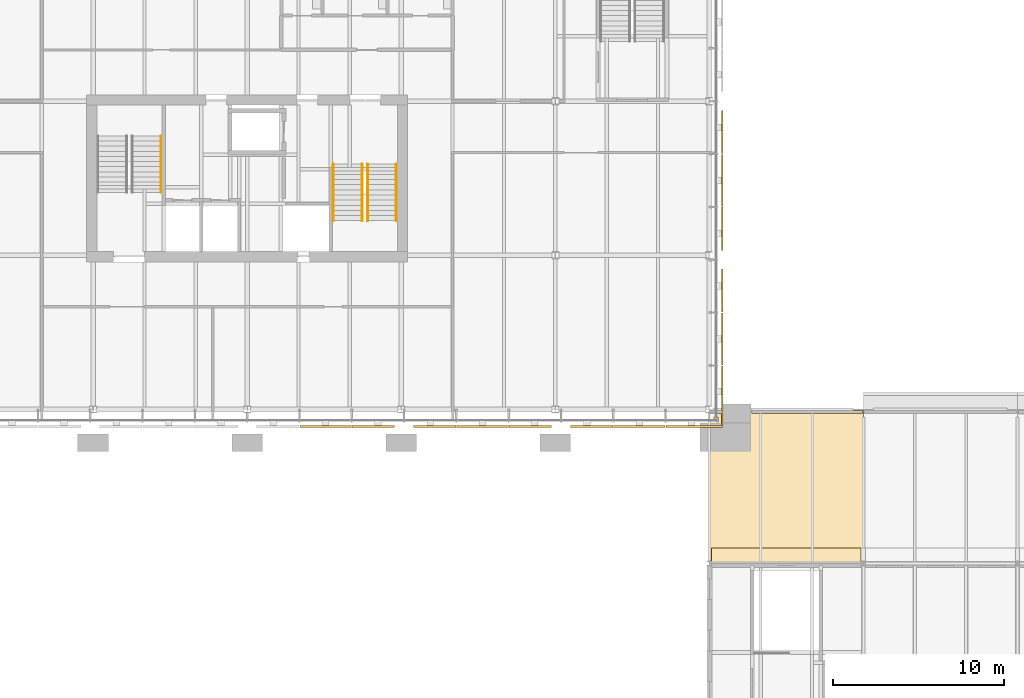
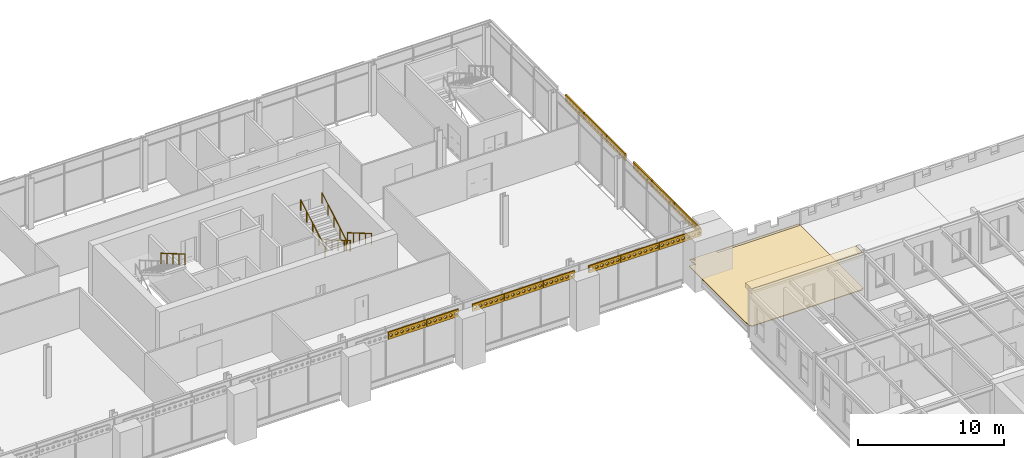
# One storey, part 103 of 123: 14 shading devices, 5 railings, 2 coverings.
"""IFC4 building model written with IfcOpenShell, lengths in metres."""

from ifc_helpers import new_model, si_unit, direction, frame, origin, origin_2d, place, context, subcontext, project, spatial, polyline, rectangle, circle, outline, extrude, material, layer, layer_set, type_object, element, save


model = new_model("IFC4")

# Units and contexts
model_context = context("Model", 3, precision=1e-05, world=origin(), true_north=direction((0.0, 1.0)))
body_context = subcontext(model_context, "Body", "Model", "MODEL_VIEW")
ifc_project = project(units=[si_unit("LENGTHUNIT", "METRE"), si_unit("AREAUNIT", "SQUARE_METRE"), si_unit("VOLUMEUNIT", "CUBIC_METRE"), si_unit("PLANEANGLEUNIT", "RADIAN"), si_unit("MASSUNIT", "GRAM", prefix="KILO")], contexts=[model_context])

# Site, building, storey
site_placement = place(None, origin())
site = spatial("IfcSite", under=ifc_project, at=site_placement, CompositionType="ELEMENT")
building_placement = place(site_placement, origin())
building = spatial("IfcBuilding", under=site, at=building_placement, Name="Baradari Gate Terminus", CompositionType="ELEMENT")
storey_placement = place(building_placement, frame((0.0, 0.0, 7.5)))
storey = spatial("IfcBuildingStorey", under=building, at=storey_placement, Name="L01", CompositionType="ELEMENT", Elevation=7.5)

# Railings
ifc_material_1 = material(Name="Stainless steel 1.4301", Category="steel")
railing_type = type_object("IfcRailingType", Name="Handrail HR-1 900", PredefinedType="HANDRAIL", material=ifc_material_1)
for number, where, name in (
    (1, (30.965087890625, 132.97509765625, 2.27490234375), "Handrail ST-T1 L01 flight 2"),
    (2, (44.715087890625, 131.324951171875, 0.175048828125), "Handrail ST-T2 L01 flight 1"),
    (3, (43.034912109375, 131.324951171875, 0.175048828125), "Handrail ST-T2 L01 flight 1"),
):
    element("IfcRailing", number, at=place(storey_placement, frame(where)), inside=storey, type_object=railing_type, Name=name, PredefinedType="HANDRAIL", context=body_context, shape_type="SweptSolid", body=[
        extrude(circle(Radius=0.02392578125, at=origin_2d()), frame((0.0, 0.0, 0.8759765625), z_axis=(0.0, -0.863776583165, 0.503874998761), x_axis=(1.0, 0.0, 0.0)), (0.0, 0.0, 1.0), 3.820556640625),
        extrude(circle(Radius=0.02099609375, at=origin_2d()), origin(), (0.0, 0.0, 1.0), 0.851806640625),
        extrude(circle(Radius=0.02099609375, at=origin_2d()), frame((0.0, -0.824951171875, 0.481201171875)), (0.0, 0.0, 1.0), 0.851806640625),
        extrude(circle(Radius=0.02099609375, at=origin_2d()), frame((0.0, -1.64990234375, 0.96240234375)), (0.0, 0.0, 1.0), 0.851806640625),
        extrude(circle(Radius=0.02099609375, at=origin_2d()), frame((0.0, -2.47509765625, 1.44384765625)), (0.0, 0.0, 1.0), 0.851806640625),
        extrude(circle(Radius=0.02099609375, at=origin_2d()), frame((0.0, -3.300048828125, 1.925048828125)), (0.0, 0.0, 1.0), 0.851806640625),
    ])
for number, where, name in (
    (4, (42.715087890625, 128.02490234375, 2.27490234375), "Handrail ST-T2 L01 flight 2"),
    (5, (41.034912109375, 128.02490234375, 2.27490234375), "Handrail ST-T2 L01 flight 2"),
):
    element("IfcRailing", number, at=place(storey_placement, frame(where)), inside=storey, type_object=railing_type, Name=name, PredefinedType="HANDRAIL", context=body_context, shape_type="SweptSolid", body=[
        extrude(circle(Radius=0.02392578125, at=origin_2d()), frame((0.0, 0.0, 0.8759765625), z_axis=(0.0, 0.863776583165, 0.503874998761), x_axis=(-1.0, 0.0, 0.0)), (0.0, 0.0, 1.0), 3.820556640625),
        extrude(circle(Radius=0.02099609375, at=origin_2d()), origin(), (0.0, 0.0, 1.0), 0.851806640625),
        extrude(circle(Radius=0.02099609375, at=origin_2d()), frame((0.0, 0.824951171875, 0.481201171875)), (0.0, 0.0, 1.0), 0.851806640625),
        extrude(circle(Radius=0.02099609375, at=origin_2d()), frame((0.0, 1.64990234375, 0.96240234375)), (0.0, 0.0, 1.0), 0.851806640625),
        extrude(circle(Radius=0.02099609375, at=origin_2d()), frame((0.0, 2.47509765625, 1.44384765625)), (0.0, 0.0, 1.0), 0.851806640625),
        extrude(circle(Radius=0.02099609375, at=origin_2d()), frame((0.0, 3.300048828125, 1.925048828125)), (0.0, 0.0, 1.0), 0.851806640625),
    ])

# Shading devices
ifc_material_2 = material(Name="Concrete C50/60 precast", Category="concrete")
ifc_layer_1 = layer(ifc_material_2, 0.10009765625)
ifc_layer_set_1 = layer_set([ifc_layer_1], Name="Concrete C50/60 precast")
shading_device_type = type_object("IfcShadingDeviceType", Name="Jali screen panel JS-1 100", PredefinedType="SHUTTER", material=ifc_layer_set_1)
shading_device_1_placement = place(storey_placement, frame((39.074951171875, 116.0048828125, 3.4326171875), z_axis=(0.0, 0.0, 1.0), x_axis=(1.0, 0.0, 0.0)))
element("IfcShadingDevice", 6, at=shading_device_1_placement, inside=storey, type_object=shading_device_type, Name="Jali screen panel JS-1 L01/TS bay 11", PredefinedType="SHUTTER", context=body_context, shape_type="SweptSolid", body=[
    extrude(outline(polyline([(0.0, 0.0), (3.01513671875, 0.0), (3.01513671875, 0.599853515625), (0.0, 0.599853515625), (0.0, 0.0)]), holes=[polyline([(0.345458984375, 0.2998046875), (0.2802734375, 0.187255859375), (0.150390625, 0.187255859375), (0.08544921875, 0.2998046875), (0.150390625, 0.412353515625), (0.2802734375, 0.412353515625), (0.345458984375, 0.2998046875)]), polyline([(0.776123046875, 0.2998046875), (0.711181640625, 0.187255859375), (0.5810546875, 0.187255859375), (0.51611328125, 0.2998046875), (0.5810546875, 0.412353515625), (0.711181640625, 0.412353515625), (0.776123046875, 0.2998046875)]), polyline([(1.206787109375, 0.2998046875), (1.141845703125, 0.187255859375), (1.01171875, 0.187255859375), (0.94677734375, 0.2998046875), (1.01171875, 0.412353515625), (1.141845703125, 0.412353515625), (1.206787109375, 0.2998046875)]), polyline([(1.637451171875, 0.2998046875), (1.572509765625, 0.187255859375), (1.4423828125, 0.187255859375), (1.37744140625, 0.2998046875), (1.4423828125, 0.412353515625), (1.572509765625, 0.412353515625), (1.637451171875, 0.2998046875)]), polyline([(2.068115234375, 0.2998046875), (2.003173828125, 0.187255859375), (1.873291015625, 0.187255859375), (1.80810546875, 0.2998046875), (1.873291015625, 0.412353515625), (2.003173828125, 0.412353515625), (2.068115234375, 0.2998046875)]), polyline([(2.4990234375, 0.2998046875), (2.433837890625, 0.187255859375), (2.303955078125, 0.187255859375), (2.239013671875, 0.2998046875), (2.303955078125, 0.412353515625), (2.433837890625, 0.412353515625), (2.4990234375, 0.2998046875)]), polyline([(2.9296875, 0.2998046875), (2.86474609375, 0.187255859375), (2.734619140625, 0.187255859375), (2.669677734375, 0.2998046875), (2.734619140625, 0.412353515625), (2.86474609375, 0.412353515625), (2.9296875, 0.2998046875)])]), frame((0.0, 0.050048828125, 0.0), z_axis=(0.0, -1.0, 0.0), x_axis=(1.0, 0.0, 0.0)), (0.0, 0.0, 1.0), 0.10009765625),
])
shading_device_2_placement = place(storey_placement, frame((42.1298828125, 116.0048828125, 3.4326171875), z_axis=(0.0, 0.0, 1.0), x_axis=(1.0, 0.0, 0.0)))
element("IfcShadingDevice", 7, at=shading_device_2_placement, inside=storey, type_object=shading_device_type, Name="Jali screen panel JS-1 L01/TS bay 12", PredefinedType="SHUTTER", context=body_context, shape_type="SweptSolid", body=[
    extrude(outline(polyline([(0.0, 0.0), (2.485107421875, 0.0), (2.485107421875, 0.599853515625), (0.0, 0.599853515625), (0.0, 0.0)]), holes=[polyline([(0.337158203125, 0.2998046875), (0.27197265625, 0.187255859375), (0.14208984375, 0.187255859375), (0.0771484375, 0.2998046875), (0.14208984375, 0.412353515625), (0.27197265625, 0.412353515625), (0.337158203125, 0.2998046875)]), polyline([(0.751220703125, 0.2998046875), (0.686279296875, 0.187255859375), (0.55615234375, 0.187255859375), (0.4912109375, 0.2998046875), (0.55615234375, 0.412353515625), (0.686279296875, 0.412353515625), (0.751220703125, 0.2998046875)]), polyline([(1.16552734375, 0.2998046875), (1.100341796875, 0.187255859375), (0.970458984375, 0.187255859375), (0.905517578125, 0.2998046875), (0.970458984375, 0.412353515625), (1.100341796875, 0.412353515625), (1.16552734375, 0.2998046875)]), polyline([(1.57958984375, 0.2998046875), (1.5146484375, 0.187255859375), (1.384521484375, 0.187255859375), (1.319580078125, 0.2998046875), (1.384521484375, 0.412353515625), (1.5146484375, 0.412353515625), (1.57958984375, 0.2998046875)]), polyline([(1.99365234375, 0.2998046875), (1.9287109375, 0.187255859375), (1.798828125, 0.187255859375), (1.733642578125, 0.2998046875), (1.798828125, 0.412353515625), (1.9287109375, 0.412353515625), (1.99365234375, 0.2998046875)]), polyline([(2.407958984375, 0.2998046875), (2.343017578125, 0.187255859375), (2.212890625, 0.187255859375), (2.14794921875, 0.2998046875), (2.212890625, 0.412353515625), (2.343017578125, 0.412353515625), (2.407958984375, 0.2998046875)])]), frame((0.0, 0.050048828125, 0.0), z_axis=(0.0, -1.0, 0.0), x_axis=(1.0, 0.0, 0.0)), (0.0, 0.0, 1.0), 0.10009765625),
])
shading_device_3_placement = place(storey_placement, frame((45.715087890625, 116.0048828125, 3.4326171875), z_axis=(0.0, 0.0, 1.0), x_axis=(1.0, 0.0, 0.0)))
element("IfcShadingDevice", 8, at=shading_device_3_placement, inside=storey, type_object=shading_device_type, Name="Jali screen panel JS-1 L01/TS bay 13", PredefinedType="SHUTTER", context=body_context, shape_type="SweptSolid", body=[
    extrude(outline(polyline([(0.0, 0.0), (2.48486328125, 0.0), (2.48486328125, 0.599853515625), (0.0, 0.599853515625), (0.0, 0.0)]), holes=[polyline([(0.337158203125, 0.2998046875), (0.27197265625, 0.187255859375), (0.14208984375, 0.187255859375), (0.0771484375, 0.2998046875), (0.14208984375, 0.412353515625), (0.27197265625, 0.412353515625), (0.337158203125, 0.2998046875)]), polyline([(0.751220703125, 0.2998046875), (0.686279296875, 0.187255859375), (0.55615234375, 0.187255859375), (0.4912109375, 0.2998046875), (0.55615234375, 0.412353515625), (0.686279296875, 0.412353515625), (0.751220703125, 0.2998046875)]), polyline([(1.16552734375, 0.2998046875), (1.100341796875, 0.187255859375), (0.970458984375, 0.187255859375), (0.905517578125, 0.2998046875), (0.970458984375, 0.412353515625), (1.100341796875, 0.412353515625), (1.16552734375, 0.2998046875)]), polyline([(1.57958984375, 0.2998046875), (1.5146484375, 0.187255859375), (1.384521484375, 0.187255859375), (1.319580078125, 0.2998046875), (1.384521484375, 0.412353515625), (1.5146484375, 0.412353515625), (1.57958984375, 0.2998046875)]), polyline([(1.99365234375, 0.2998046875), (1.9287109375, 0.187255859375), (1.798828125, 0.187255859375), (1.733642578125, 0.2998046875), (1.798828125, 0.412353515625), (1.9287109375, 0.412353515625), (1.99365234375, 0.2998046875)]), polyline([(2.407958984375, 0.2998046875), (2.343017578125, 0.187255859375), (2.212890625, 0.187255859375), (2.14794921875, 0.2998046875), (2.212890625, 0.412353515625), (2.343017578125, 0.412353515625), (2.407958984375, 0.2998046875)])]), frame((0.0, 0.050048828125, 0.0), z_axis=(0.0, -1.0, 0.0), x_axis=(1.0, 0.0, 0.0)), (0.0, 0.0, 1.0), 0.10009765625),
])
shading_device_4_placement = place(storey_placement, frame((48.239990234375, 116.0048828125, 3.4326171875), z_axis=(0.0, 0.0, 1.0), x_axis=(1.0, 0.0, 0.0)))
element("IfcShadingDevice", 9, at=shading_device_4_placement, inside=storey, type_object=shading_device_type, Name="Jali screen panel JS-1 L01/TS bay 14", PredefinedType="SHUTTER", context=body_context, shape_type="SweptSolid", body=[
    extrude(outline(polyline([(0.0, 0.0), (3.014892578125, 0.0), (3.014892578125, 0.599853515625), (0.0, 0.599853515625), (0.0, 0.0)]), holes=[polyline([(0.345458984375, 0.2998046875), (0.2802734375, 0.187255859375), (0.150390625, 0.187255859375), (0.08544921875, 0.2998046875), (0.150390625, 0.412353515625), (0.2802734375, 0.412353515625), (0.345458984375, 0.2998046875)]), polyline([(0.776123046875, 0.2998046875), (0.711181640625, 0.187255859375), (0.5810546875, 0.187255859375), (0.51611328125, 0.2998046875), (0.5810546875, 0.412353515625), (0.711181640625, 0.412353515625), (0.776123046875, 0.2998046875)]), polyline([(1.206787109375, 0.2998046875), (1.141845703125, 0.187255859375), (1.01171875, 0.187255859375), (0.94677734375, 0.2998046875), (1.01171875, 0.412353515625), (1.141845703125, 0.412353515625), (1.206787109375, 0.2998046875)]), polyline([(1.637451171875, 0.2998046875), (1.572509765625, 0.187255859375), (1.4423828125, 0.187255859375), (1.37744140625, 0.2998046875), (1.4423828125, 0.412353515625), (1.572509765625, 0.412353515625), (1.637451171875, 0.2998046875)]), polyline([(2.068115234375, 0.2998046875), (2.003173828125, 0.187255859375), (1.873291015625, 0.187255859375), (1.80810546875, 0.2998046875), (1.873291015625, 0.412353515625), (2.003173828125, 0.412353515625), (2.068115234375, 0.2998046875)]), polyline([(2.4990234375, 0.2998046875), (2.433837890625, 0.187255859375), (2.303955078125, 0.187255859375), (2.239013671875, 0.2998046875), (2.303955078125, 0.412353515625), (2.433837890625, 0.412353515625), (2.4990234375, 0.2998046875)]), polyline([(2.9296875, 0.2998046875), (2.86474609375, 0.187255859375), (2.734619140625, 0.187255859375), (2.669677734375, 0.2998046875), (2.734619140625, 0.412353515625), (2.86474609375, 0.412353515625), (2.9296875, 0.2998046875)])]), frame((0.0, 0.050048828125, 0.0), z_axis=(0.0, -1.0, 0.0), x_axis=(1.0, 0.0, 0.0)), (0.0, 0.0, 1.0), 0.10009765625),
])
for number, where, z_axis, x_axis, name in (
    (10, (51.294921875, 116.0048828125, 3.4326171875), (0.0, 0.0, 1.0), (1.0, 0.0, 0.0), "Jali screen panel JS-1 L01/TS bay 15"),
    (11, (54.8798828125, 116.0048828125, 3.4326171875), (0.0, 0.0, 1.0), (1.0, 0.0, 0.0), "Jali screen panel JS-1 L01/TS bay 16"),
):
    element("IfcShadingDevice", number, at=place(storey_placement, frame(where, z_axis=z_axis, x_axis=x_axis)), inside=storey, type_object=shading_device_type, Name=name, PredefinedType="SHUTTER", context=body_context, shape_type="SweptSolid", body=[
        extrude(outline(polyline([(0.0, 0.0), (2.485107421875, 0.0), (2.485107421875, 0.599853515625), (0.0, 0.599853515625), (0.0, 0.0)]), holes=[polyline([(0.337158203125, 0.2998046875), (0.27197265625, 0.187255859375), (0.14208984375, 0.187255859375), (0.0771484375, 0.2998046875), (0.14208984375, 0.412353515625), (0.27197265625, 0.412353515625), (0.337158203125, 0.2998046875)]), polyline([(0.751220703125, 0.2998046875), (0.686279296875, 0.187255859375), (0.55615234375, 0.187255859375), (0.4912109375, 0.2998046875), (0.55615234375, 0.412353515625), (0.686279296875, 0.412353515625), (0.751220703125, 0.2998046875)]), polyline([(1.16552734375, 0.2998046875), (1.100341796875, 0.187255859375), (0.970458984375, 0.187255859375), (0.905517578125, 0.2998046875), (0.970458984375, 0.412353515625), (1.100341796875, 0.412353515625), (1.16552734375, 0.2998046875)]), polyline([(1.57958984375, 0.2998046875), (1.5146484375, 0.187255859375), (1.384521484375, 0.187255859375), (1.319580078125, 0.2998046875), (1.384521484375, 0.412353515625), (1.5146484375, 0.412353515625), (1.57958984375, 0.2998046875)]), polyline([(1.99365234375, 0.2998046875), (1.9287109375, 0.187255859375), (1.798828125, 0.187255859375), (1.733642578125, 0.2998046875), (1.798828125, 0.412353515625), (1.9287109375, 0.412353515625), (1.99365234375, 0.2998046875)]), polyline([(2.407958984375, 0.2998046875), (2.343017578125, 0.187255859375), (2.212890625, 0.187255859375), (2.14794921875, 0.2998046875), (2.212890625, 0.412353515625), (2.343017578125, 0.412353515625), (2.407958984375, 0.2998046875)])]), frame((0.0, 0.050048828125, 0.0), z_axis=(0.0, -1.0, 0.0), x_axis=(1.0, 0.0, 0.0)), (0.0, 0.0, 1.0), 0.10009765625),
    ])
shading_device_5_placement = place(storey_placement, frame((57.405029296875, 116.0048828125, 3.4326171875), z_axis=(0.0, 0.0, 1.0), x_axis=(1.0, 0.0, 0.0)))
element("IfcShadingDevice", 12, at=shading_device_5_placement, inside=storey, type_object=shading_device_type, Name="Jali screen panel JS-1 L01/TS bay 17", PredefinedType="SHUTTER", context=body_context, shape_type="SweptSolid", body=[
    extrude(outline(polyline([(0.0, 0.0), (3.014892578125, 0.0), (3.014892578125, 0.599853515625), (0.0, 0.599853515625), (0.0, 0.0)]), holes=[polyline([(0.345458984375, 0.2998046875), (0.2802734375, 0.187255859375), (0.150390625, 0.187255859375), (0.08544921875, 0.2998046875), (0.150390625, 0.412353515625), (0.2802734375, 0.412353515625), (0.345458984375, 0.2998046875)]), polyline([(0.776123046875, 0.2998046875), (0.711181640625, 0.187255859375), (0.5810546875, 0.187255859375), (0.51611328125, 0.2998046875), (0.5810546875, 0.412353515625), (0.711181640625, 0.412353515625), (0.776123046875, 0.2998046875)]), polyline([(1.206787109375, 0.2998046875), (1.141845703125, 0.187255859375), (1.01171875, 0.187255859375), (0.94677734375, 0.2998046875), (1.01171875, 0.412353515625), (1.141845703125, 0.412353515625), (1.206787109375, 0.2998046875)]), polyline([(1.637451171875, 0.2998046875), (1.572509765625, 0.187255859375), (1.4423828125, 0.187255859375), (1.37744140625, 0.2998046875), (1.4423828125, 0.412353515625), (1.572509765625, 0.412353515625), (1.637451171875, 0.2998046875)]), polyline([(2.068115234375, 0.2998046875), (2.003173828125, 0.187255859375), (1.873291015625, 0.187255859375), (1.80810546875, 0.2998046875), (1.873291015625, 0.412353515625), (2.003173828125, 0.412353515625), (2.068115234375, 0.2998046875)]), polyline([(2.4990234375, 0.2998046875), (2.433837890625, 0.187255859375), (2.303955078125, 0.187255859375), (2.239013671875, 0.2998046875), (2.303955078125, 0.412353515625), (2.433837890625, 0.412353515625), (2.4990234375, 0.2998046875)]), polyline([(2.9296875, 0.2998046875), (2.86474609375, 0.187255859375), (2.734619140625, 0.187255859375), (2.669677734375, 0.2998046875), (2.734619140625, 0.412353515625), (2.86474609375, 0.412353515625), (2.9296875, 0.2998046875)])]), frame((0.0, 0.050048828125, 0.0), z_axis=(0.0, -1.0, 0.0), x_axis=(1.0, 0.0, 0.0)), (0.0, 0.0, 1.0), 0.10009765625),
])
shading_device_6_placement = place(storey_placement, frame((60.4599609375, 116.0048828125, 3.4326171875), z_axis=(0.0, 0.0, 1.0), x_axis=(1.0, 0.0, 0.0)))
element("IfcShadingDevice", 13, at=shading_device_6_placement, inside=storey, type_object=shading_device_type, Name="Jali screen panel JS-1 L01/TS bay 18", PredefinedType="SHUTTER", context=body_context, shape_type="SweptSolid", body=[
    extrude(outline(polyline([(0.0, 0.0), (3.300048828125, 0.0), (3.300048828125, 0.599853515625), (0.0, 0.599853515625), (0.0, 0.0)]), holes=[polyline([(0.336181640625, 0.2998046875), (0.271240234375, 0.187255859375), (0.141357421875, 0.187255859375), (0.076171875, 0.2998046875), (0.141357421875, 0.412353515625), (0.271240234375, 0.412353515625), (0.336181640625, 0.2998046875)]), polyline([(0.748779296875, 0.2998046875), (0.683837890625, 0.187255859375), (0.5537109375, 0.187255859375), (0.48876953125, 0.2998046875), (0.5537109375, 0.412353515625), (0.683837890625, 0.412353515625), (0.748779296875, 0.2998046875)]), polyline([(1.1611328125, 0.2998046875), (1.09619140625, 0.187255859375), (0.96630859375, 0.187255859375), (0.9013671875, 0.2998046875), (0.96630859375, 0.412353515625), (1.09619140625, 0.412353515625), (1.1611328125, 0.2998046875)]), polyline([(1.57373046875, 0.2998046875), (1.5087890625, 0.187255859375), (1.378662109375, 0.187255859375), (1.313720703125, 0.2998046875), (1.378662109375, 0.412353515625), (1.5087890625, 0.412353515625), (1.57373046875, 0.2998046875)]), polyline([(1.986328125, 0.2998046875), (1.921142578125, 0.187255859375), (1.791259765625, 0.187255859375), (1.726318359375, 0.2998046875), (1.791259765625, 0.412353515625), (1.921142578125, 0.412353515625), (1.986328125, 0.2998046875)]), polyline([(2.398681640625, 0.2998046875), (2.333740234375, 0.187255859375), (2.203857421875, 0.187255859375), (2.138671875, 0.2998046875), (2.203857421875, 0.412353515625), (2.333740234375, 0.412353515625), (2.398681640625, 0.2998046875)]), polyline([(2.811279296875, 0.2998046875), (2.746337890625, 0.187255859375), (2.6162109375, 0.187255859375), (2.55126953125, 0.2998046875), (2.6162109375, 0.412353515625), (2.746337890625, 0.412353515625), (2.811279296875, 0.2998046875)]), polyline([(3.2236328125, 0.2998046875), (3.15869140625, 0.187255859375), (3.02880859375, 0.187255859375), (2.9638671875, 0.2998046875), (3.02880859375, 0.412353515625), (3.15869140625, 0.412353515625), (3.2236328125, 0.2998046875)])]), frame((0.0, 0.050048828125, 0.0), z_axis=(0.0, -1.0, 0.0), x_axis=(1.0, 0.0, 0.0)), (0.0, 0.0, 1.0), 0.10009765625),
])
shading_device_7_placement = place(storey_placement, frame((63.7451171875, 116.090087890625, 3.4326171875), z_axis=(0.0, 0.0, 1.0), x_axis=(0.0, 1.0, 0.0)))
element("IfcShadingDevice", 14, at=shading_device_7_placement, inside=storey, type_object=shading_device_type, Name="Jali screen panel JS-1 L01/TE bay 1", PredefinedType="SHUTTER", context=body_context, shape_type="SweptSolid", body=[
    extrude(outline(polyline([(0.0, 0.0), (3.457763671875, 0.0), (3.457763671875, 0.599853515625), (0.0, 0.599853515625), (0.0, 0.0)]), holes=[polyline([(0.34619140625, 0.2998046875), (0.281005859375, 0.187255859375), (0.151123046875, 0.187255859375), (0.086181640625, 0.2998046875), (0.151123046875, 0.412353515625), (0.281005859375, 0.412353515625), (0.34619140625, 0.2998046875)]), polyline([(0.7783203125, 0.2998046875), (0.71337890625, 0.187255859375), (0.583251953125, 0.187255859375), (0.518310546875, 0.2998046875), (0.583251953125, 0.412353515625), (0.71337890625, 0.412353515625), (0.7783203125, 0.2998046875)]), polyline([(1.21044921875, 0.2998046875), (1.1455078125, 0.187255859375), (1.015625, 0.187255859375), (0.950439453125, 0.2998046875), (1.015625, 0.412353515625), (1.1455078125, 0.412353515625), (1.21044921875, 0.2998046875)]), polyline([(1.642822265625, 0.2998046875), (1.577880859375, 0.187255859375), (1.44775390625, 0.187255859375), (1.3828125, 0.2998046875), (1.44775390625, 0.412353515625), (1.577880859375, 0.412353515625), (1.642822265625, 0.2998046875)]), polyline([(2.074951171875, 0.2998046875), (2.010009765625, 0.187255859375), (1.8798828125, 0.187255859375), (1.81494140625, 0.2998046875), (1.8798828125, 0.412353515625), (2.010009765625, 0.412353515625), (2.074951171875, 0.2998046875)]), polyline([(2.50732421875, 0.2998046875), (2.442138671875, 0.187255859375), (2.312255859375, 0.187255859375), (2.247314453125, 0.2998046875), (2.312255859375, 0.412353515625), (2.442138671875, 0.412353515625), (2.50732421875, 0.2998046875)]), polyline([(2.939453125, 0.2998046875), (2.87451171875, 0.187255859375), (2.744384765625, 0.187255859375), (2.679443359375, 0.2998046875), (2.744384765625, 0.412353515625), (2.87451171875, 0.412353515625), (2.939453125, 0.2998046875)]), polyline([(3.37158203125, 0.2998046875), (3.306640625, 0.187255859375), (3.1767578125, 0.187255859375), (3.111572265625, 0.2998046875), (3.1767578125, 0.412353515625), (3.306640625, 0.412353515625), (3.37158203125, 0.2998046875)])]), frame((0.0, 0.050048828125, 0.0), z_axis=(0.0, -1.0, 0.0), x_axis=(1.0, 0.0, 0.0)), (0.0, 0.0, 1.0), 0.10009765625),
])
shading_device_8_placement = place(storey_placement, frame((63.7451171875, 119.587890625, 3.4326171875), z_axis=(0.0, 0.0, 1.0), x_axis=(0.0, 1.0, 0.0)))
element("IfcShadingDevice", 15, at=shading_device_8_placement, inside=storey, type_object=shading_device_type, Name="Jali screen panel JS-1 L01/TE bay 2", PredefinedType="SHUTTER", context=body_context, shape_type="SweptSolid", body=[
    extrude(outline(polyline([(0.0, 0.0), (3.047607421875, 0.0), (3.047607421875, 0.599853515625), (0.0, 0.599853515625), (0.0, 0.0)]), holes=[polyline([(0.34765625, 0.2998046875), (0.28271484375, 0.187255859375), (0.152587890625, 0.187255859375), (0.087646484375, 0.2998046875), (0.152587890625, 0.412353515625), (0.28271484375, 0.412353515625), (0.34765625, 0.2998046875)]), polyline([(0.783203125, 0.2998046875), (0.718017578125, 0.187255859375), (0.588134765625, 0.187255859375), (0.523193359375, 0.2998046875), (0.588134765625, 0.412353515625), (0.718017578125, 0.412353515625), (0.783203125, 0.2998046875)]), polyline([(1.218505859375, 0.2998046875), (1.153564453125, 0.187255859375), (1.0234375, 0.187255859375), (0.95849609375, 0.2998046875), (1.0234375, 0.412353515625), (1.153564453125, 0.412353515625), (1.218505859375, 0.2998046875)]), polyline([(1.65380859375, 0.2998046875), (1.5888671875, 0.187255859375), (1.458984375, 0.187255859375), (1.393798828125, 0.2998046875), (1.458984375, 0.412353515625), (1.5888671875, 0.412353515625), (1.65380859375, 0.2998046875)]), polyline([(2.08935546875, 0.2998046875), (2.024169921875, 0.187255859375), (1.894287109375, 0.187255859375), (1.829345703125, 0.2998046875), (1.894287109375, 0.412353515625), (2.024169921875, 0.412353515625), (2.08935546875, 0.2998046875)]), polyline([(2.524658203125, 0.2998046875), (2.459716796875, 0.187255859375), (2.32958984375, 0.187255859375), (2.2646484375, 0.2998046875), (2.32958984375, 0.412353515625), (2.459716796875, 0.412353515625), (2.524658203125, 0.2998046875)]), polyline([(2.9599609375, 0.2998046875), (2.89501953125, 0.187255859375), (2.76513671875, 0.187255859375), (2.7001953125, 0.2998046875), (2.76513671875, 0.412353515625), (2.89501953125, 0.412353515625), (2.9599609375, 0.2998046875)])]), frame((0.0, 0.050048828125, 0.0), z_axis=(0.0, -1.0, 0.0), x_axis=(1.0, 0.0, 0.0)), (0.0, 0.0, 1.0), 0.10009765625),
])
for number, where, z_axis, x_axis, name in (
    (16, (63.7451171875, 122.675537109375, 3.4326171875), (0.0, 0.0, 1.0), (0.0, 1.0, 0.0), "Jali screen panel JS-1 L01/TE bay 3"),
    (17, (63.7451171875, 126.293212890625, 3.4326171875), (0.0, 0.0, 1.0), (0.0, 1.0, 0.0), "Jali screen panel JS-1 L01/TE bay 4"),
):
    element("IfcShadingDevice", number, at=place(storey_placement, frame(where, z_axis=z_axis, x_axis=x_axis)), inside=storey, type_object=shading_device_type, Name=name, PredefinedType="SHUTTER", context=body_context, shape_type="SweptSolid", body=[
        extrude(outline(polyline([(0.0, 0.0), (2.517822265625, 0.0), (2.517822265625, 0.599853515625), (0.0, 0.599853515625), (0.0, 0.0)]), holes=[polyline([(0.33984375, 0.2998046875), (0.27490234375, 0.187255859375), (0.144775390625, 0.187255859375), (0.079833984375, 0.2998046875), (0.144775390625, 0.412353515625), (0.27490234375, 0.412353515625), (0.33984375, 0.2998046875)]), polyline([(0.759521484375, 0.2998046875), (0.6943359375, 0.187255859375), (0.564453125, 0.187255859375), (0.49951171875, 0.2998046875), (0.564453125, 0.412353515625), (0.6943359375, 0.412353515625), (0.759521484375, 0.2998046875)]), polyline([(1.178955078125, 0.2998046875), (1.114013671875, 0.187255859375), (0.984130859375, 0.187255859375), (0.919189453125, 0.2998046875), (0.984130859375, 0.412353515625), (1.114013671875, 0.412353515625), (1.178955078125, 0.2998046875)]), polyline([(1.5986328125, 0.2998046875), (1.53369140625, 0.187255859375), (1.40380859375, 0.187255859375), (1.338623046875, 0.2998046875), (1.40380859375, 0.412353515625), (1.53369140625, 0.412353515625), (1.5986328125, 0.2998046875)]), polyline([(2.018310546875, 0.2998046875), (1.953369140625, 0.187255859375), (1.8232421875, 0.187255859375), (1.75830078125, 0.2998046875), (1.8232421875, 0.412353515625), (1.953369140625, 0.412353515625), (2.018310546875, 0.2998046875)]), polyline([(2.43798828125, 0.2998046875), (2.373046875, 0.187255859375), (2.242919921875, 0.187255859375), (2.177978515625, 0.2998046875), (2.242919921875, 0.412353515625), (2.373046875, 0.412353515625), (2.43798828125, 0.2998046875)])]), frame((0.0, 0.050048828125, 0.0), z_axis=(0.0, -1.0, 0.0), x_axis=(1.0, 0.0, 0.0)), (0.0, 0.0, 1.0), 0.10009765625),
    ])
shading_device_9_placement = place(storey_placement, frame((63.7451171875, 128.85107421875, 3.4326171875), z_axis=(0.0, 0.0, 1.0), x_axis=(0.0, 1.0, 0.0)))
element("IfcShadingDevice", 18, at=shading_device_9_placement, inside=storey, type_object=shading_device_type, Name="Jali screen panel JS-1 L01/TE bay 5", PredefinedType="SHUTTER", context=body_context, shape_type="SweptSolid", body=[
    extrude(outline(polyline([(0.0, 0.0), (3.0478515625, 0.0), (3.0478515625, 0.599853515625), (0.0, 0.599853515625), (0.0, 0.0)]), holes=[polyline([(0.34765625, 0.2998046875), (0.28271484375, 0.187255859375), (0.152587890625, 0.187255859375), (0.087646484375, 0.2998046875), (0.152587890625, 0.412353515625), (0.28271484375, 0.412353515625), (0.34765625, 0.2998046875)]), polyline([(0.783203125, 0.2998046875), (0.718017578125, 0.187255859375), (0.588134765625, 0.187255859375), (0.523193359375, 0.2998046875), (0.588134765625, 0.412353515625), (0.718017578125, 0.412353515625), (0.783203125, 0.2998046875)]), polyline([(1.218505859375, 0.2998046875), (1.153564453125, 0.187255859375), (1.0234375, 0.187255859375), (0.95849609375, 0.2998046875), (1.0234375, 0.412353515625), (1.153564453125, 0.412353515625), (1.218505859375, 0.2998046875)]), polyline([(1.65380859375, 0.2998046875), (1.5888671875, 0.187255859375), (1.458984375, 0.187255859375), (1.393798828125, 0.2998046875), (1.458984375, 0.412353515625), (1.5888671875, 0.412353515625), (1.65380859375, 0.2998046875)]), polyline([(2.08935546875, 0.2998046875), (2.024169921875, 0.187255859375), (1.894287109375, 0.187255859375), (1.829345703125, 0.2998046875), (1.894287109375, 0.412353515625), (2.024169921875, 0.412353515625), (2.08935546875, 0.2998046875)]), polyline([(2.524658203125, 0.2998046875), (2.459716796875, 0.187255859375), (2.32958984375, 0.187255859375), (2.2646484375, 0.2998046875), (2.32958984375, 0.412353515625), (2.459716796875, 0.412353515625), (2.524658203125, 0.2998046875)]), polyline([(2.9599609375, 0.2998046875), (2.89501953125, 0.187255859375), (2.76513671875, 0.187255859375), (2.7001953125, 0.2998046875), (2.76513671875, 0.412353515625), (2.89501953125, 0.412353515625), (2.9599609375, 0.2998046875)])]), frame((0.0, 0.050048828125, 0.0), z_axis=(0.0, -1.0, 0.0), x_axis=(1.0, 0.0, 0.0)), (0.0, 0.0, 1.0), 0.10009765625),
])
shading_device_10_placement = place(storey_placement, frame((63.7451171875, 131.93896484375, 3.4326171875), z_axis=(0.0, 0.0, 1.0), x_axis=(0.0, 1.0, 0.0)))
element("IfcShadingDevice", 19, at=shading_device_10_placement, inside=storey, type_object=shading_device_type, Name="Jali screen panel JS-1 L01/TE bay 6", PredefinedType="SHUTTER", context=body_context, shape_type="SweptSolid", body=[
    extrude(outline(polyline([(0.0, 0.0), (2.517822265625, 0.0), (2.517822265625, 0.599853515625), (0.0, 0.599853515625), (0.0, 0.0)]), holes=[polyline([(0.33984375, 0.2998046875), (0.27490234375, 0.187255859375), (0.144775390625, 0.187255859375), (0.079833984375, 0.2998046875), (0.144775390625, 0.412353515625), (0.27490234375, 0.412353515625), (0.33984375, 0.2998046875)]), polyline([(0.759521484375, 0.2998046875), (0.6943359375, 0.187255859375), (0.564453125, 0.187255859375), (0.49951171875, 0.2998046875), (0.564453125, 0.412353515625), (0.6943359375, 0.412353515625), (0.759521484375, 0.2998046875)]), polyline([(1.178955078125, 0.2998046875), (1.114013671875, 0.187255859375), (0.984130859375, 0.187255859375), (0.919189453125, 0.2998046875), (0.984130859375, 0.412353515625), (1.114013671875, 0.412353515625), (1.178955078125, 0.2998046875)]), polyline([(1.5986328125, 0.2998046875), (1.53369140625, 0.187255859375), (1.40380859375, 0.187255859375), (1.338623046875, 0.2998046875), (1.40380859375, 0.412353515625), (1.53369140625, 0.412353515625), (1.5986328125, 0.2998046875)]), polyline([(2.018310546875, 0.2998046875), (1.953369140625, 0.187255859375), (1.8232421875, 0.187255859375), (1.75830078125, 0.2998046875), (1.8232421875, 0.412353515625), (1.953369140625, 0.412353515625), (2.018310546875, 0.2998046875)]), polyline([(2.43798828125, 0.2998046875), (2.373046875, 0.187255859375), (2.242919921875, 0.187255859375), (2.177978515625, 0.2998046875), (2.242919921875, 0.412353515625), (2.373046875, 0.412353515625), (2.43798828125, 0.2998046875)])]), frame((0.0, 0.050048828125, 0.0), z_axis=(0.0, -1.0, 0.0), x_axis=(1.0, 0.0, 0.0)), (0.0, 0.0, 1.0), 0.10009765625),
])

# Coverings
ifc_material_3 = material(Name="Concrete C40/50", Category="concrete")
covering_type_1 = type_object("IfcCoveringType", Name="Precast cornice band", PredefinedType="CLADDING", material=ifc_material_3)
covering_1_placement = place(storey_placement, frame((67.5, 108.45361328125, 3.650146484375), z_axis=(0.0, 0.0, 1.0), x_axis=(1.0, 0.0, 0.0)))
element("IfcCovering", 20, at=covering_1_placement, inside=storey, type_object=covering_type_1, Name="RF/L01/CO-07", PredefinedType="CLADDING", context=body_context, shape_type="SweptSolid", body=[
    extrude(rectangle(XDim=8.74365234375, YDim=0.89990234375, at=origin_2d()), origin(), (0.0, 0.0, 1.0), 0.39990234375),
])
ifc_material_4 = material(Name="Terracotta roof tiles", Category="masonry")
ifc_layer_2 = layer(ifc_material_4, 0.06005859375)
ifc_layer_set_2 = layer_set([ifc_layer_2], Name="Terracotta roof tiles")
covering_type_2 = type_object("IfcCoveringType", Name="Terracotta roof tiles RT-1 60", PredefinedType="ROOFING", material=ifc_layer_set_2)
covering_2_placement = place(storey_placement, frame((0.0, 0.0, 0.89990234375)))
element("IfcCovering", 21, at=covering_2_placement, inside=storey, type_object=covering_type_2, Name="Terracotta roof tiles RT-1 C01", PredefinedType="ROOFING", context=body_context, shape_type="SweptSolid", body=[
    extrude(outline(polyline([(72.0, 117.0), (72.0, 108.130126953125), (71.871826171875, 108.130126953125), (71.871826171875, 108.00341796875), (63.128173828125, 108.00341796875), (63.128173828125, 108.130126953125), (63.0, 108.130126953125), (63.0, 116.357421875), (63.425048828125, 116.357421875), (63.425048828125, 116.2548828125), (63.4951171875, 116.2548828125), (63.4951171875, 116.47998046875), (63.4951171875, 116.550048828125), (63.392578125, 116.550048828125), (63.392578125, 116.75), (63.7451171875, 116.75), (63.7451171875, 116.949951171875), (63.392578125, 116.949951171875), (63.392578125, 117.0), (72.0, 117.0)]), holes=[polyline([(71.949951171875, 116.949951171875), (65.4951171875, 116.949951171875), (65.4951171875, 116.75), (71.949951171875, 116.75), (71.949951171875, 116.949951171875)])]), origin(), (0.0, 0.0, 1.0), 0.06005859375),
])

save(model, "model.ifc")
